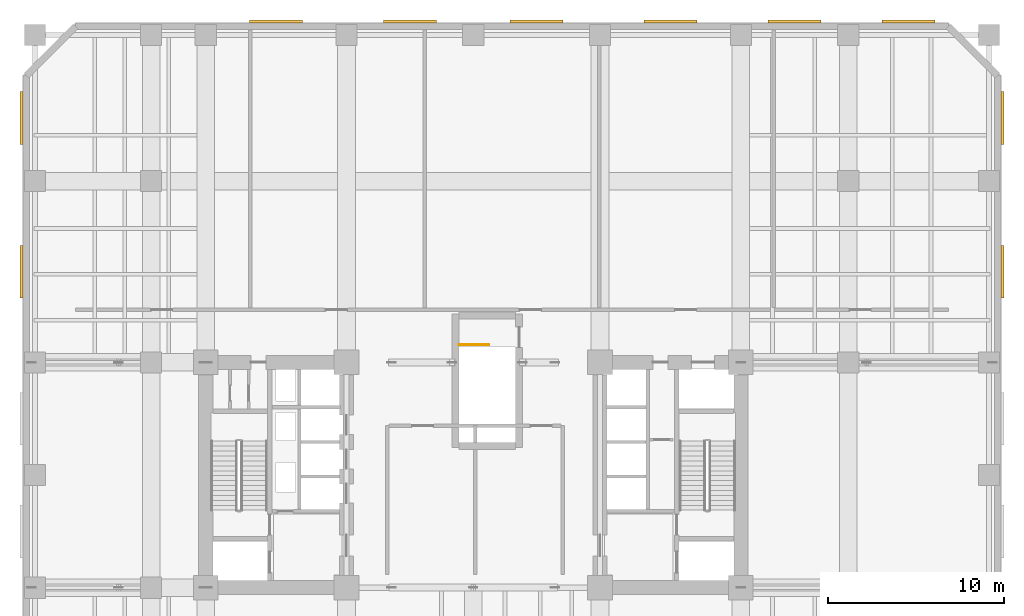
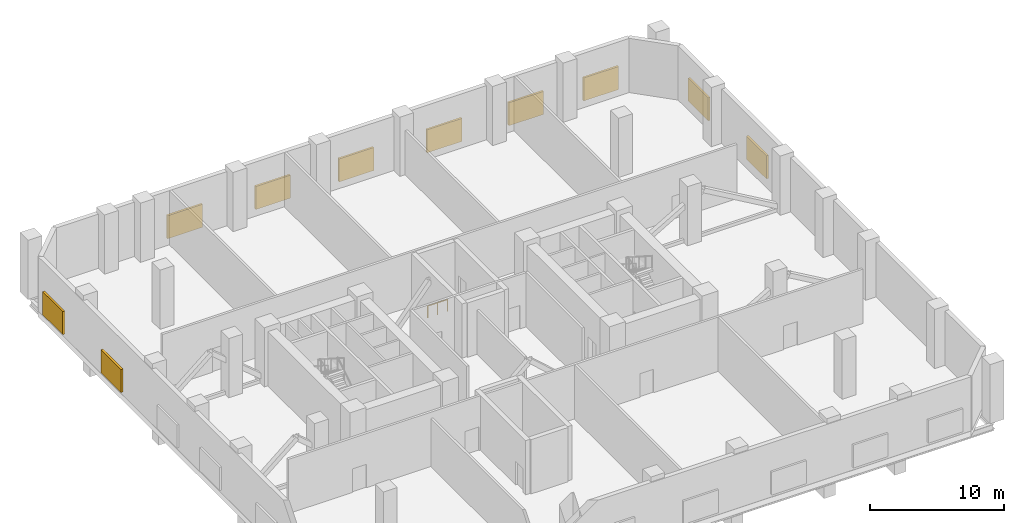
# One storey, part 13 of 13: 10 shading devices, 1 railing.
"""IFC4 building model written with IfcOpenShell, lengths in metres."""

from ifc_helpers import new_model, si_unit, direction, frame, origin, origin_2d, place, context, subcontext, project, spatial, rectangle, circle, extrude, material, type_object, element, save


model = new_model("IFC4")

# Units and contexts
model_context = context("Model", 3, precision=1e-05, world=origin(), true_north=direction((0.0, 1.0)))
body_context = subcontext(model_context, "Body", "Model", "MODEL_VIEW")
ifc_project = project(units=[si_unit("LENGTHUNIT", "METRE"), si_unit("AREAUNIT", "SQUARE_METRE"), si_unit("VOLUMEUNIT", "CUBIC_METRE"), si_unit("PLANEANGLEUNIT", "RADIAN"), si_unit("MASSUNIT", "GRAM", prefix="KILO")], contexts=[model_context])

# Site, building, storey
site_placement = place(None, origin())
site = spatial("IfcSite", under=ifc_project, at=site_placement, CompositionType="ELEMENT")
building_placement = place(site_placement, origin())
building = spatial("IfcBuilding", under=site, at=building_placement, Name="Kranthara Brick Stack", CompositionType="ELEMENT")
storey_placement = place(building_placement, frame((0.0, 0.0, 18.89990234375)))
storey = spatial("IfcBuildingStorey", under=building, at=storey_placement, Name="L04", CompositionType="ELEMENT", Elevation=18.89990234375)

# Railing
ifc_material_1 = material(Name="Painted galvanized steel stair guardrail", Category="steel")
railing_type = type_object("IfcRailingType", Name="RL-STAIR-GUARD-1100", PredefinedType="GUARDRAIL", material=ifc_material_1)
railing_placement = place(storey_placement, frame((27.199951171875, 34.60009765625, 0.0)))
element("IfcRailing", 1, at=railing_placement, inside=storey, type_object=railing_type, Name="L04 ST04 top well guard 1", PredefinedType="GUARDRAIL", context=body_context, shape_type="SweptSolid", body=[
    extrude(circle(Radius=0.02392578125, at=origin_2d()), frame((0.0, 0.0, 1.076171875), z_axis=(1.0, 0.0, 0.0), x_axis=(0.0, 1.0, 0.0)), (0.0, 0.0, 1.0), 1.699951171875),
    extrude(circle(Radius=0.02099609375, at=origin_2d()), origin(), (0.0, 0.0, 1.0), 1.052001953125),
    extrude(circle(Radius=0.02099609375, at=origin_2d()), frame((0.85009765625, 0.0, 0.0)), (0.0, 0.0, 1.0), 1.052001953125),
    extrude(circle(Radius=0.02099609375, at=origin_2d()), frame((1.699951171875, 0.0, 0.0)), (0.0, 0.0, 1.0), 1.052001953125),
])

# Shading devices
ifc_material_2 = material(Name="Bronze anodised aluminium acoustic louvre", Category="aluminium")
shading_device_type = type_object("IfcShadingDeviceType", Name="SHD-LOUVRE-PLANT", PredefinedType="JALOUSIE", material=ifc_material_2)
for number, where, z_axis, x_axis, name in (
    (2, (16.800048828125, 52.9599609375, 0.300048828125), (0.0, 0.0, 1.0), (1.0, 0.0, 0.0), "L04 NORTH Mechanical Louvre Bank 2"),
    (3, (24.39990234375, 52.9599609375, 0.300048828125), (0.0, 0.0, 1.0), (1.0, 0.0, 0.0), "L04 NORTH Mechanical Louvre Bank 3"),
    (4, (31.60009765625, 52.9599609375, 0.300048828125), (0.0, 0.0, 1.0), (1.0, 0.0, 0.0), "L04 NORTH Mechanical Louvre Bank 4"),
    (5, (39.199951171875, 52.9599609375, 0.300048828125), (0.0, 0.0, 1.0), (1.0, 0.0, 0.0), "L04 NORTH Mechanical Louvre Bank 5"),
    (6, (46.25, 52.9599609375, 0.300048828125), (0.0, 0.0, 1.0), (1.0, 0.0, 0.0), "L04 NORTH Mechanical Louvre Bank 6"),
    (7, (52.72509765625, 52.9599609375, 0.300048828125), (0.0, 0.0, 1.0), (1.0, 0.0, 0.0), "L04 NORTH Mechanical Louvre Bank 7"),
    (8, (2.340087890625, 38.75, 0.300048828125), (0.0, 0.0, 1.0), (0.0, 1.0, 0.0), "L04 WEST Mechanical Louvre Bank 5"),
    (9, (2.340087890625, 47.47509765625, 0.300048828125), (0.0, 0.0, 1.0), (0.0, 1.0, 0.0), "L04 WEST Mechanical Louvre Bank 6"),
    (10, (58.06005859375, 47.47509765625, 0.300048828125), (0.0, 0.0, 1.0), (0.0, -1.0, 0.0), "L04 EAST Mechanical Louvre Bank 1"),
    (11, (58.06005859375, 38.75, 0.300048828125), (0.0, 0.0, 1.0), (0.0, -1.0, 0.0), "L04 EAST Mechanical Louvre Bank 2"),
):
    element("IfcShadingDevice", number, at=place(storey_placement, frame(where, z_axis=z_axis, x_axis=x_axis)), inside=storey, type_object=shading_device_type, Name=name, PredefinedType="JALOUSIE", context=body_context, shape_type="SweptSolid", body=[
        extrude(rectangle(XDim=3.0, YDim=0.179931640625, at=origin_2d()), origin(), (0.0, 0.0, 1.0), 2.10009765625),
    ])

save(model, "model.ifc")
